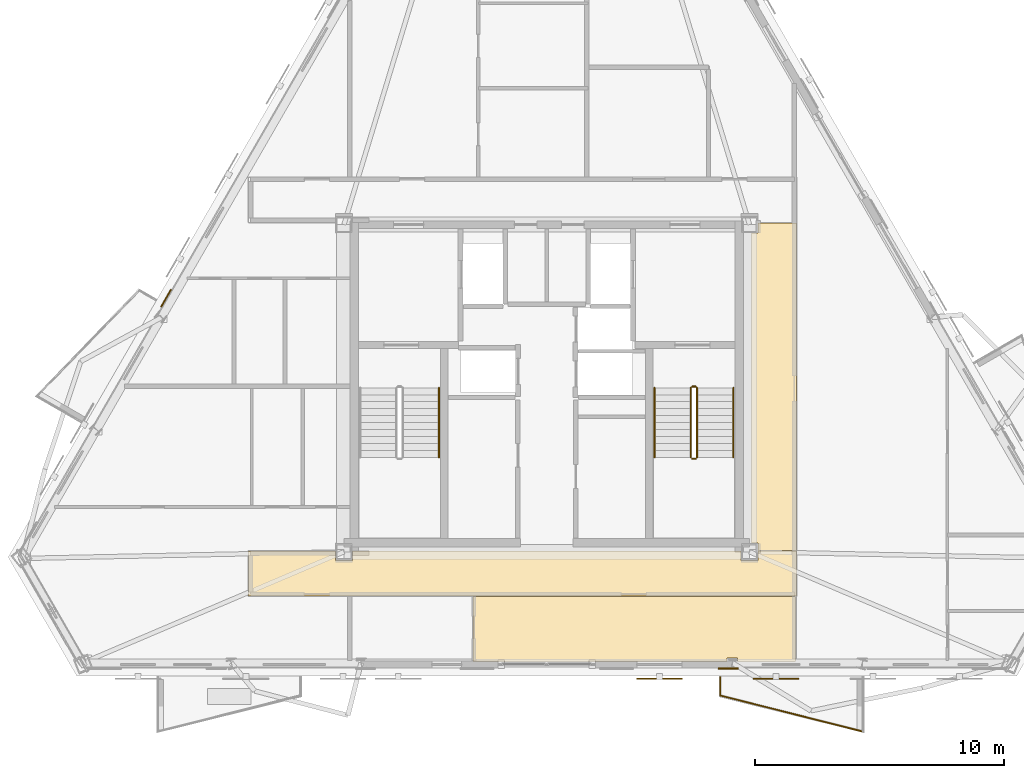
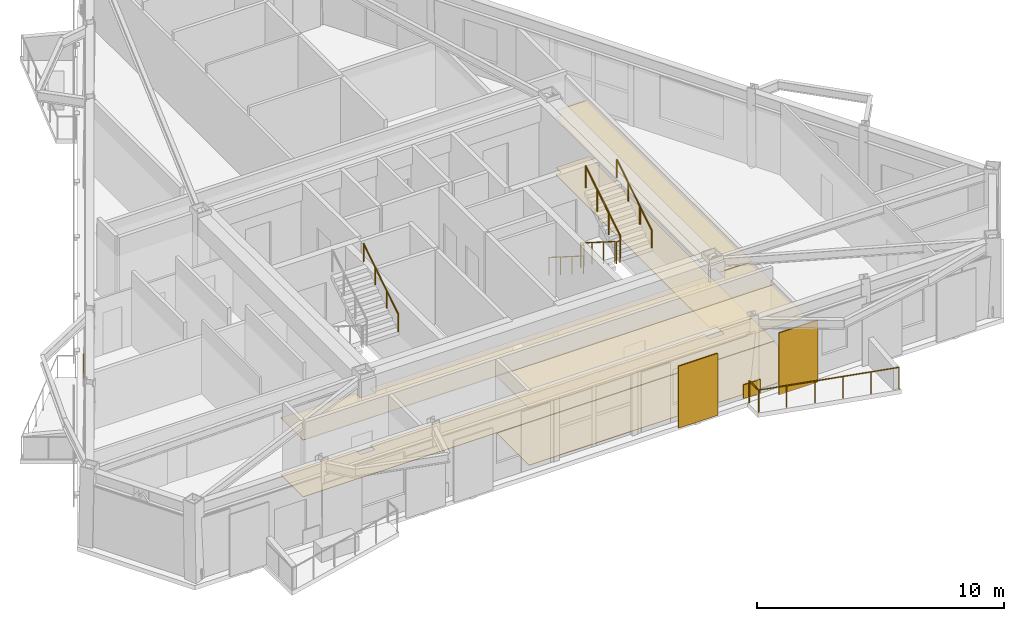
# One storey, part 13 of 15: 9 railings, 8 coverings, 2 shading devices.
"""IFC4 building model written with IfcOpenShell, lengths in metres."""

import ifcopenshell
import ifcopenshell.guid

model = None  # the IFC model being written
_history = None  # IfcOwnerHistory: only IFC2X3 demands one
_inside = {}  # id of a spatial element -> (the spatial element, [elements in it])
_under = {}  # id of a project, library or spatial element -> (it, [spatial elements below it])
_declared = {}  # id of a project -> (the project, [libraries it declares])
_typed = {}  # id of a type object -> (the type object, [elements of that type])
_made_of = {}  # id of a material, layer set ... -> (it, [elements and type objects made of it])


def new_model(schema):
    """Start an empty IFC model of exactly this schema.

    Asked for "IFC4X3", IfcOpenShell would pick the latest addendum, in which some entities
    have other attributes; the version numbers below select the first issue.
    IFC2X3 requires an IfcOwnerHistory on every rooted entity: one is made here for all.
    """
    global model, _history
    if schema == "IFC4X3":
        model = ifcopenshell.file(schema_version=(4, 3, 0, 0))
    else:
        model = ifcopenshell.file(schema=schema)
    _inside.clear()
    _under.clear()
    _declared.clear()
    _typed.clear()
    _made_of.clear()
    _history = None
    if model.schema == "IFC2X3":
        org = make("IfcOrganization", Name="unknown")
        user = make(
            "IfcPersonAndOrganization",
            ThePerson=make("IfcPerson", FamilyName="unknown"),
            TheOrganization=org,
        )
        app = make(
            "IfcApplication",
            ApplicationDeveloper=org,
            Version="unknown",
            ApplicationFullName="unknown",
            ApplicationIdentifier="unknown",
        )
        _history = make(
            "IfcOwnerHistory",
            OwningUser=user,
            OwningApplication=app,
            ChangeAction="ADDED",
            CreationDate=0,
        )
    return model


def make(cls, **values):
    """One entity of the class cls with the attributes given. An attribute that is None is left unset."""
    return model.create_entity(
        cls, **{name: value for name, value in values.items() if value is not None}
    )


def rooted(cls, **values):
    """An entity with a GlobalId (a new one), such as an element, a storey or a relation."""
    return make(cls, GlobalId=ifcopenshell.guid.new(), OwnerHistory=_history, **values)


def si_unit(unit_type, name, prefix=None):
    """IfcSIUnit, for example si_unit("LENGTHUNIT", "METRE", prefix="MILLI")."""
    return make("IfcSIUnit", UnitType=unit_type, Prefix=prefix, Name=name)


def assignment(units):
    """IfcUnitAssignment: the units of a project."""
    return None if units is None else make("IfcUnitAssignment", Units=units)


def point(xyz):
    """IfcCartesianPoint."""
    return None if xyz is None else make("IfcCartesianPoint", Coordinates=xyz)


def direction(xyz):
    """IfcDirection."""
    return None if xyz is None else make("IfcDirection", DirectionRatios=xyz)


def frame(location, z_axis=None, x_axis=None):
    """IfcAxis2Placement3D, a coordinate frame: its origin and axes. An axis left out is left unset."""
    return make(
        "IfcAxis2Placement3D",
        Location=point(location),
        Axis=direction(z_axis),
        RefDirection=direction(x_axis),
    )


def frame_2d(location, x_axis=None):
    """IfcAxis2Placement2D, a coordinate frame in the plane: its origin and x axis."""
    return make(
        "IfcAxis2Placement2D", Location=point(location), RefDirection=direction(x_axis)
    )


def origin():
    """The frame at (0, 0, 0) with its axes left unset."""
    return frame((0.0, 0.0, 0.0))


def origin_2d():
    """The frame at (0, 0) in the plane with its x axis left unset."""
    return frame_2d((0.0, 0.0))


def place(relative_to, where):
    """IfcLocalPlacement: puts the frame where relative to a parent placement (None: the world)."""
    return make(
        "IfcLocalPlacement", PlacementRelTo=relative_to, RelativePlacement=where
    )


def context(
    kind, dimensions, precision=None, world=None, true_north=None, identifier=None
):
    """IfcGeometricRepresentationContext, for example the 3D "Model" context."""
    return make(
        "IfcGeometricRepresentationContext",
        ContextIdentifier=identifier,
        ContextType=kind,
        CoordinateSpaceDimension=dimensions,
        Precision=precision,
        WorldCoordinateSystem=world,
        TrueNorth=true_north,
    )


def subcontext(parent, identifier, kind, view, scale=None):
    """IfcGeometricRepresentationSubContext, for example "Body" below "Model"."""
    return make(
        "IfcGeometricRepresentationSubContext",
        ContextIdentifier=identifier,
        ContextType=kind,
        ParentContext=parent,
        TargetScale=scale,
        TargetView=view,
    )


def project(units=None, contexts=None):
    """IfcProject with its units and contexts."""
    return rooted(
        "IfcProject",
        Name="project",
        RepresentationContexts=contexts,
        UnitsInContext=assignment(units),
    )


def spatial(cls, under=None, at=None, **own):
    """A site, building, storey or space (cls), placed at a placement, below another one or the project."""
    s = rooted(cls, ObjectPlacement=at, **own)
    if under is not None:
        _under.setdefault(under.id(), (under, []))[1].append(s)
    return s


def polyline(points):
    """IfcPolyline through the points."""
    return make("IfcPolyline", Points=[point(p) for p in points])


def profile(cls, at=None, kind="AREA", **sizes):
    """A parametric profile (cls). Its sizes go by their IFC names, for example OverallWidth=200.0."""
    return make(cls, ProfileType=kind, Position=at, **sizes)


def rectangle(**sizes):
    """IfcRectangleProfileDef."""
    return profile("IfcRectangleProfileDef", **sizes)


def circle(**sizes):
    """IfcCircleProfileDef."""
    return profile("IfcCircleProfileDef", **sizes)


def outline(outer, holes=None, kind="AREA"):
    """IfcArbitraryClosedProfileDef: a profile drawn as a closed curve; with holes, ...WithVoids."""
    if holes is None:
        return make("IfcArbitraryClosedProfileDef", ProfileType=kind, OuterCurve=outer)
    return make(
        "IfcArbitraryProfileDefWithVoids",
        ProfileType=kind,
        OuterCurve=outer,
        InnerCurves=holes,
    )


def extrude(swept, where, along, depth):
    """IfcExtrudedAreaSolid: the profile swept, set in the frame where, extruded along a direction by depth."""
    return make(
        "IfcExtrudedAreaSolid",
        SweptArea=swept,
        Position=where,
        ExtrudedDirection=direction(along),
        Depth=depth,
    )


def shape(context_of_items, identifier, shape_type, items):
    """IfcShapeRepresentation: the items that make up one representation, for example the "Body"."""
    return make(
        "IfcShapeRepresentation",
        ContextOfItems=context_of_items,
        RepresentationIdentifier=identifier,
        RepresentationType=shape_type,
        Items=items,
    )


def material(Name=None, Category=None):
    """IfcMaterial."""
    return make("IfcMaterial", Name=Name, Category=Category)


def layer(
    of_material, thickness, ventilated=None, Name=None, Category=None, Priority=None
):
    """IfcMaterialLayer: one layer of a wall or slab, of a material (None: an air gap)."""
    return make(
        "IfcMaterialLayer",
        Material=of_material,
        LayerThickness=thickness,
        IsVentilated=ventilated,
        Name=Name,
        Category=Category,
        Priority=Priority,
    )


def layer_set(layers, Name=None):
    """IfcMaterialLayerSet."""
    return make("IfcMaterialLayerSet", MaterialLayers=layers, LayerSetName=Name)


def made_of(thing, what):
    """Note that an element or type object is made of a material, layer set ...; save() writes the relation."""
    if what is not None:
        _made_of.setdefault(what.id(), (what, []))[1].append(thing)
    return thing


def type_object(cls, material=None, **own):
    """A type object (cls), such as IfcWallType, which elements share."""
    return made_of(rooted(cls, **own), material)


def element(
    cls,
    number,
    at=None,
    inside=None,
    cuts=None,
    type_object=None,
    material=None,
    context=None,
    identifier="Body",
    shape_type=None,
    held_by="IfcProductDefinitionShape",
    body=None,
    shapes=None,
    **own,
):
    """One element of the class cls, such as IfcWall. Its Tag is "e" and its number.

    at: its placement. inside: the storey or other place that contains it. cuts: it is an
    opening in that element (IfcRelVoidsElement). A single representation is given by context,
    identifier, shape_type and body (its items); several are given by shapes. held_by: the class
    of the entity that holds the representations. save() writes the other relations.
    """
    e = rooted(cls, Tag="e%d" % number, ObjectPlacement=at, **own)
    if body is not None:
        shapes = [shape(context, identifier, shape_type, body)]
    if shapes is not None:
        e.Representation = make(held_by, Representations=shapes)
    if inside is not None:
        _inside.setdefault(inside.id(), (inside, []))[1].append(e)
    if cuts is not None:
        rooted(
            "IfcRelVoidsElement", RelatingBuildingElement=cuts, RelatedOpeningElement=e
        )
    if type_object is not None:
        _typed.setdefault(type_object.id(), (type_object, []))[1].append(e)
    return made_of(e, material)


def aggregate(whole, parts):
    """IfcRelAggregates: a whole, such as a stair, and the parts it consists of."""
    return rooted("IfcRelAggregates", RelatingObject=whole, RelatedObjects=parts)


def save(model, path):
    """Write the relations noted so far, then the file.

    IfcRelAggregates (storeys below a building ...), IfcRelContainedInSpatialStructure (elements
    in a storey), IfcRelDefinesByType, IfcRelAssociatesMaterial and IfcRelDeclares: one each for
    every whole, place, type object, material and project.
    """
    for whole, parts in _under.values():
        aggregate(whole, parts)
    for where, things in _inside.values():
        rooted(
            "IfcRelContainedInSpatialStructure",
            RelatedElements=things,
            RelatingStructure=where,
        )
    for kind, things in _typed.values():
        rooted("IfcRelDefinesByType", RelatedObjects=things, RelatingType=kind)
    for what, things in _made_of.values():
        rooted("IfcRelAssociatesMaterial", RelatedObjects=things, RelatingMaterial=what)
    for by, libraries in _declared.values():
        rooted("IfcRelDeclares", RelatingContext=by, RelatedDefinitions=libraries)
    model.write(path)


model = new_model("IFC4")

# Units and contexts
model_context = context("Model", 3, precision=1e-05, world=origin(), true_north=direction((0.0, 1.0)))
body_context = subcontext(model_context, "Body", "Model", "MODEL_VIEW")
ifc_project = project(units=[si_unit("LENGTHUNIT", "METRE"), si_unit("AREAUNIT", "SQUARE_METRE"), si_unit("VOLUMEUNIT", "CUBIC_METRE"), si_unit("PLANEANGLEUNIT", "RADIAN"), si_unit("MASSUNIT", "GRAM", prefix="KILO")], contexts=[model_context])

# Site, building, storey
site_placement = place(None, origin())
site = spatial("IfcSite", under=ifc_project, at=site_placement, CompositionType="ELEMENT")
building_placement = place(site_placement, origin())
building = spatial("IfcBuilding", under=site, at=building_placement, Name="Oramaril Tower", CompositionType="ELEMENT")
storey_placement = place(building_placement, frame((0.0, 0.0, 265.5)))
storey = spatial("IfcBuildingStorey", under=building, at=storey_placement, Name="L70", CompositionType="ELEMENT", Elevation=265.5)

# Coverings
ifc_material_1 = material(Name="Mineral Fibre Acoustic Ceiling")
ifc_layer_1 = layer(ifc_material_1, 0.02001953125)
ifc_layer_set_1 = layer_set([ifc_layer_1], Name="CVT-CEIL")
covering_type_1 = type_object("IfcCoveringType", Name="CVT-CEIL", PredefinedType="CEILING", material=ifc_layer_set_1)
covering_1_placement = place(storey_placement, frame((0.0, 0.0, 2.81201171875)))
element("IfcCovering", 1, at=covering_1_placement, inside=storey, type_object=covering_type_1, Name="L70 Acoustic Suspended Ceiling 1", PredefinedType="CEILING", context=body_context, shape_type="SweptSolid", body=[
    extrude(outline(polyline([(29.0048828125, 10.655029296875), (29.695068359375, 10.655029296875), (29.695068359375, 11.030029296875), (45.304931640625, 11.030029296875), (45.304931640625, 10.655029296875), (45.9951171875, 10.655029296875), (45.9951171875, 11.030029296875), (47.530029296875, 11.030029296875), (47.530029296875, 9.219970703125), (25.52001953125, 9.219970703125), (25.52001953125, 11.030029296875), (29.0048828125, 11.030029296875), (29.0048828125, 10.655029296875)])), origin(), (0.0, 0.0, 1.0), 0.02001953125),
])
covering_2_placement = place(storey_placement, frame((0.0, 0.0, 2.81201171875)))
element("IfcCovering", 2, at=covering_2_placement, inside=storey, type_object=covering_type_1, Name="L70 Acoustic Suspended Ceiling 3", PredefinedType="CEILING", context=body_context, shape_type="SweptSolid", body=[
    extrude(outline(polyline([(47.530029296875, 11.050048828125), (45.9951171875, 11.050048828125), (45.9951171875, 11.344970703125), (45.719970703125, 11.344970703125), (45.719970703125, 23.804931640625), (45.9951171875, 23.804931640625), (45.9951171875, 24.219970703125), (47.530029296875, 24.219970703125), (47.530029296875, 11.050048828125)])), origin(), (0.0, 0.0, 1.0), 0.02001953125),
])
covering_3_placement = place(storey_placement, frame((0.0, 0.0, 2.81201171875)))
element("IfcCovering", 3, at=covering_3_placement, inside=storey, type_object=covering_type_1, Name="L70 Acoustic Suspended Ceiling 5", PredefinedType="CEILING", context=body_context, shape_type="SweptSolid", body=[
    extrude(outline(polyline([(45.165771484375, 6.7412109375), (44.7431640625, 6.7412109375), (44.7431640625, 6.582763671875), (34.54150390625, 6.582763671875), (34.54150390625, 9.199951171875), (47.491943359375, 9.199951171875), (47.491943359375, 6.582763671875), (45.165771484375, 6.582763671875), (45.165771484375, 6.7412109375)])), origin(), (0.0, 0.0, 1.0), 0.02001953125),
])
ifc_material_2 = material(Name="Warm Cream Limestone", Category="masonry")
ifc_layer_2 = layer(ifc_material_2, 0.050048828125)
ifc_layer_set_2 = layer_set([ifc_layer_2], Name="CVT-CLD")
covering_type_2 = type_object("IfcCoveringType", Name="CVT-CLD", PredefinedType="CLADDING", material=ifc_layer_set_2)
for number, where, z_axis, x_axis, name in (
    (4, (44.78564453125, 6.306884765625, 0.0400390625), (0.0, 0.0, 1.0), (1.0, 0.0, 0.0), "L70 Warm Cream Limestone Spandrel Cladding"),
    (5, (22.202392578125, 21.190185546875, 0.0400390625), (0.0, 0.0, 1.0), (-0.4999984885, -0.866026276448, 0.0), "L70 Warm Cream Limestone Spandrel Cladding"),
):
    element("IfcCovering", number, at=place(storey_placement, frame(where, z_axis=z_axis, x_axis=x_axis)), inside=storey, type_object=covering_type_2, Name=name, PredefinedType="CLADDING", context=body_context, shape_type="SweptSolid", body=[
        extrude(rectangle(XDim=0.800048828125, YDim=0.050048828125, at=origin_2d()), origin(), (0.0, 0.0, 1.0), 0.679931640625),
    ])
ifc_material_3 = material(Name="Honed Quartzite Stone Flooring", Category="masonry")
ifc_layer_3 = layer(ifc_material_3, 0.02490234375)
ifc_layer_set_3 = layer_set([ifc_layer_3], Name="CVT-FLR")
covering_type_3 = type_object("IfcCoveringType", Name="CVT-FLR", PredefinedType="FLOORING", material=ifc_layer_set_3)
covering_4_placement = place(storey_placement, origin())
element("IfcCovering", 6, at=covering_4_placement, inside=storey, type_object=covering_type_3, Name="L70 Honed Stone Floor Finish 1", PredefinedType="FLOORING", context=body_context, shape_type="SweptSolid", body=[
    extrude(outline(polyline([(29.0048828125, 10.655029296875), (29.695068359375, 10.655029296875), (29.695068359375, 11.030029296875), (45.304931640625, 11.030029296875), (45.304931640625, 10.655029296875), (45.9951171875, 10.655029296875), (45.9951171875, 11.030029296875), (47.530029296875, 11.030029296875), (47.530029296875, 9.219970703125), (25.52001953125, 9.219970703125), (25.52001953125, 11.030029296875), (29.0048828125, 11.030029296875), (29.0048828125, 10.655029296875)])), origin(), (0.0, 0.0, 1.0), 0.02490234375),
])
covering_5_placement = place(storey_placement, origin())
element("IfcCovering", 7, at=covering_5_placement, inside=storey, type_object=covering_type_3, Name="L70 Honed Stone Floor Finish 3", PredefinedType="FLOORING", context=body_context, shape_type="SweptSolid", body=[
    extrude(outline(polyline([(47.530029296875, 11.050048828125), (45.9951171875, 11.050048828125), (45.9951171875, 11.344970703125), (45.719970703125, 11.344970703125), (45.719970703125, 23.804931640625), (45.9951171875, 23.804931640625), (45.9951171875, 24.219970703125), (47.530029296875, 24.219970703125), (47.530029296875, 11.050048828125)])), origin(), (0.0, 0.0, 1.0), 0.02490234375),
])
covering_6_placement = place(storey_placement, origin())
element("IfcCovering", 8, at=covering_6_placement, inside=storey, type_object=covering_type_3, Name="L70 Honed Stone Floor Finish 5", PredefinedType="FLOORING", context=body_context, shape_type="SweptSolid", body=[
    extrude(outline(polyline([(45.165771484375, 6.7412109375), (44.7431640625, 6.7412109375), (44.7431640625, 6.582763671875), (34.54150390625, 6.582763671875), (34.54150390625, 9.199951171875), (47.491943359375, 9.199951171875), (47.491943359375, 6.582763671875), (45.165771484375, 6.582763671875), (45.165771484375, 6.7412109375)])), origin(), (0.0, 0.0, 1.0), 0.02490234375),
])

# Railings
ifc_material_4 = material(Name="Stainless Steel 316L", Category="steel")
railing_type_1 = type_object("IfcRailingType", Name="RLT-GRD", PredefinedType="GUARDRAIL", material=ifc_material_4)
railing_1_placement = place(storey_placement, frame((50.20458984375, 3.77490234375, 0.0)))
element("IfcRailing", 9, at=railing_1_placement, inside=storey, type_object=railing_type_1, Name="L70 Balcony Guardrail L70-BAL-S2.2", PredefinedType="GUARDRAIL", context=body_context, shape_type="SweptSolid", body=[
    extrude(circle(Radius=0.02392578125, at=origin_2d()), frame((0.0, 0.0, 1.076171875), z_axis=(-0.969443611257, 0.245314256807, 0.0), x_axis=(-0.245314256807, -0.969443611257, 0.0)), (0.0, 0.0, 1.0), 5.91064453125),
    extrude(circle(Radius=0.02099609375, at=origin_2d()), origin(), (0.0, 0.0, 1.0), 1.052001953125),
    extrude(circle(Radius=0.02099609375, at=origin_2d()), frame((-1.14599609375, 0.2900390625, 0.0)), (0.0, 0.0, 1.0), 1.052001953125),
    extrude(circle(Radius=0.02099609375, at=origin_2d()), frame((-2.2919921875, 0.580078125, 0.0)), (0.0, 0.0, 1.0), 1.052001953125),
    extrude(circle(Radius=0.02099609375, at=origin_2d()), frame((-3.43798828125, 0.869873046875, 0.0)), (0.0, 0.0, 1.0), 1.052001953125),
    extrude(circle(Radius=0.02099609375, at=origin_2d()), frame((-4.583984375, 1.159912109375, 0.0)), (0.0, 0.0, 1.0), 1.052001953125),
    extrude(circle(Radius=0.02099609375, at=origin_2d()), frame((-5.72998046875, 1.449951171875, 0.0)), (0.0, 0.0, 1.0), 1.052001953125),
])
railing_2_placement = place(storey_placement, frame((44.474609375, 5.224853515625, 0.0)))
element("IfcRailing", 10, at=railing_2_placement, inside=storey, type_object=railing_type_1, Name="L70 Balcony Guardrail L70-BAL-S2.3", PredefinedType="GUARDRAIL", context=body_context, shape_type="SweptSolid", body=[
    extrude(circle(Radius=0.02392578125, at=origin_2d()), frame((0.0, 0.0, 1.076171875), z_axis=(0.0, 1.0, 0.0), x_axis=(-1.0, 0.0, 0.0)), (0.0, 0.0, 1.0), 0.741943359375),
    extrude(circle(Radius=0.02099609375, at=origin_2d()), origin(), (0.0, 0.0, 1.0), 1.052001953125),
    extrude(circle(Radius=0.02099609375, at=origin_2d()), frame((0.0, 0.741943359375, 0.0)), (0.0, 0.0, 1.0), 1.052001953125),
])
railing_3_placement = place(storey_placement, frame((43.2900390625, 17.590087890625, 0.17724609375)))
element("IfcRailing", 11, at=railing_3_placement, inside=storey, type_object=railing_type_1, Name="L70 ST-2 stair guard 1", PredefinedType="GUARDRAIL", context=body_context, shape_type="SweptSolid", body=[
    extrude(circle(Radius=0.02392578125, at=origin_2d()), frame((0.0, 0.0, 1.076171875), z_axis=(0.0, -0.844908973607, 0.534910110503), x_axis=(1.0, 0.0, 0.0)), (0.0, 0.0, 1.0), 3.31396484375),
    extrude(circle(Radius=0.02099609375, at=origin_2d()), origin(), (0.0, 0.0, 1.0), 1.052001953125),
    extrude(circle(Radius=0.02099609375, at=origin_2d()), frame((0.0, -0.933349609375, 0.5908203125)), (0.0, 0.0, 1.0), 1.052001953125),
    extrude(circle(Radius=0.02099609375, at=origin_2d()), frame((0.0, -1.86669921875, 1.181884765625)), (0.0, 0.0, 1.0), 1.052001953125),
    extrude(circle(Radius=0.02099609375, at=origin_2d()), frame((0.0, -2.800048828125, 1.772705078125)), (0.0, 0.0, 1.0), 1.052001953125),
])
railing_4_placement = place(storey_placement, frame((43.340087890625, 14.739990234375, 1.949951171875)))
element("IfcRailing", 12, at=railing_4_placement, inside=storey, type_object=railing_type_1, Name="L70 ST-2 stair guard 2", PredefinedType="GUARDRAIL", context=body_context, shape_type="SweptSolid", body=[
    extrude(circle(Radius=0.02392578125, at=origin_2d()), frame((0.0, 0.0, 1.076171875), z_axis=(1.0, 0.0, 0.0), x_axis=(0.0, 1.0, 0.0)), (0.0, 0.0, 1.0), 0.14990234375),
    extrude(circle(Radius=0.02099609375, at=origin_2d()), origin(), (0.0, 0.0, 1.0), 1.052001953125),
    extrude(circle(Radius=0.02099609375, at=origin_2d()), frame((0.14990234375, 0.0, 0.0)), (0.0, 0.0, 1.0), 1.052001953125),
])
railing_5_placement = place(storey_placement, frame((43.5400390625, 14.7900390625, 2.127197265625)))
element("IfcRailing", 13, at=railing_5_placement, inside=storey, type_object=railing_type_1, Name="L70 ST-2 stair guard 3", PredefinedType="GUARDRAIL", context=body_context, shape_type="SweptSolid", body=[
    extrude(circle(Radius=0.02392578125, at=origin_2d()), frame((0.0, 0.0, 1.076171875), z_axis=(0.0, 0.844908973607, 0.534910110503), x_axis=(-1.0, 0.0, 0.0)), (0.0, 0.0, 1.0), 3.31396484375),
    extrude(circle(Radius=0.02099609375, at=origin_2d()), origin(), (0.0, 0.0, 1.0), 1.052001953125),
    extrude(circle(Radius=0.02099609375, at=origin_2d()), frame((0.0, 0.933349609375, 0.5908203125)), (0.0, 0.0, 1.0), 1.052001953125),
    extrude(circle(Radius=0.02099609375, at=origin_2d()), frame((0.0, 1.86669921875, 1.181884765625)), (0.0, 0.0, 1.0), 1.052001953125),
    extrude(circle(Radius=0.02099609375, at=origin_2d()), frame((0.0, 2.800048828125, 1.772705078125)), (0.0, 0.0, 1.0), 1.052001953125),
])
railing_6_placement = place(storey_placement, frame((43.340087890625, 17.639892578125, 0.0)))
element("IfcRailing", 14, at=railing_6_placement, inside=storey, type_object=railing_type_1, Name="L70 ST-2 stair guard 4", PredefinedType="GUARDRAIL", context=body_context, shape_type="SweptSolid", body=[
    extrude(circle(Radius=0.02392578125, at=origin_2d()), frame((0.0, 0.0, 1.076171875), z_axis=(1.0, 0.0, 0.0), x_axis=(0.0, 1.0, 0.0)), (0.0, 0.0, 1.0), 0.14990234375),
    extrude(circle(Radius=0.02099609375, at=origin_2d()), origin(), (0.0, 0.0, 1.0), 1.052001953125),
    extrude(circle(Radius=0.02099609375, at=origin_2d()), frame((0.14990234375, 0.0, 0.0)), (0.0, 0.0, 1.0), 1.052001953125),
])
ifc_material_5 = material(Name="Stainless Steel 316L", Category="steel")
railing_type_2 = type_object("IfcRailingType", Name="RLT-HND", PredefinedType="HANDRAIL", material=ifc_material_5)
railing_7_placement = place(storey_placement, frame((33.169921875, 14.7900390625, 2.127197265625)))
element("IfcRailing", 15, at=railing_7_placement, inside=storey, type_object=railing_type_2, Name="L70 ST-1 stair handrail 2", PredefinedType="HANDRAIL", context=body_context, shape_type="SweptSolid", body=[
    extrude(circle(Radius=0.02392578125, at=origin_2d()), frame((0.0, 0.0, 0.8759765625), z_axis=(0.0, 0.844908973607, 0.534910110503), x_axis=(-1.0, 0.0, 0.0)), (0.0, 0.0, 1.0), 3.31396484375),
    extrude(circle(Radius=0.02099609375, at=origin_2d()), origin(), (0.0, 0.0, 1.0), 0.851806640625),
    extrude(circle(Radius=0.02099609375, at=origin_2d()), frame((0.0, 0.933349609375, 0.5908203125)), (0.0, 0.0, 1.0), 0.851806640625),
    extrude(circle(Radius=0.02099609375, at=origin_2d()), frame((0.0, 1.86669921875, 1.181884765625)), (0.0, 0.0, 1.0), 0.851806640625),
    extrude(circle(Radius=0.02099609375, at=origin_2d()), frame((0.0, 2.800048828125, 1.772705078125)), (0.0, 0.0, 1.0), 0.851806640625),
])
railing_8_placement = place(storey_placement, frame((41.830078125, 17.590087890625, 0.17724609375)))
element("IfcRailing", 16, at=railing_8_placement, inside=storey, type_object=railing_type_2, Name="L70 ST-2 stair handrail 1", PredefinedType="HANDRAIL", context=body_context, shape_type="SweptSolid", body=[
    extrude(circle(Radius=0.02392578125, at=origin_2d()), frame((0.0, 0.0, 0.8759765625), z_axis=(0.0, -0.844908973607, 0.534910110503), x_axis=(1.0, 0.0, 0.0)), (0.0, 0.0, 1.0), 3.31396484375),
    extrude(circle(Radius=0.02099609375, at=origin_2d()), origin(), (0.0, 0.0, 1.0), 0.851806640625),
    extrude(circle(Radius=0.02099609375, at=origin_2d()), frame((0.0, -0.933349609375, 0.5908203125)), (0.0, 0.0, 1.0), 0.851806640625),
    extrude(circle(Radius=0.02099609375, at=origin_2d()), frame((0.0, -1.86669921875, 1.181884765625)), (0.0, 0.0, 1.0), 0.851806640625),
    extrude(circle(Radius=0.02099609375, at=origin_2d()), frame((0.0, -2.800048828125, 1.772705078125)), (0.0, 0.0, 1.0), 0.851806640625),
])
railing_9_placement = place(storey_placement, frame((45.0, 14.7900390625, 2.127197265625)))
element("IfcRailing", 17, at=railing_9_placement, inside=storey, type_object=railing_type_2, Name="L70 ST-2 stair handrail 2", PredefinedType="HANDRAIL", context=body_context, shape_type="SweptSolid", body=[
    extrude(circle(Radius=0.02392578125, at=origin_2d()), frame((0.0, 0.0, 0.8759765625), z_axis=(0.0, 0.844908973607, 0.534910110503), x_axis=(-1.0, 0.0, 0.0)), (0.0, 0.0, 1.0), 3.31396484375),
    extrude(circle(Radius=0.02099609375, at=origin_2d()), origin(), (0.0, 0.0, 1.0), 0.851806640625),
    extrude(circle(Radius=0.02099609375, at=origin_2d()), frame((0.0, 0.933349609375, 0.5908203125)), (0.0, 0.0, 1.0), 0.851806640625),
    extrude(circle(Radius=0.02099609375, at=origin_2d()), frame((0.0, 1.86669921875, 1.181884765625)), (0.0, 0.0, 1.0), 0.851806640625),
    extrude(circle(Radius=0.02099609375, at=origin_2d()), frame((0.0, 2.800048828125, 1.772705078125)), (0.0, 0.0, 1.0), 0.851806640625),
])

# Shading devices
for number, where, z_axis, x_axis, name in (
    (18, (42.025390625, 5.894775390625, -0.02001953125), (0.0, 0.0, 1.0), (1.0, 0.0, 0.0), "L70 Perforated Ceramic Solar Screen"),
    (19, (46.716796875, 5.894775390625, -0.02001953125), (0.0, 0.0, 1.0), (1.0, 0.0, 0.0), "L70 Perforated Ceramic Solar Screen"),
):
    element("IfcShadingDevice", number, at=place(storey_placement, frame(where, z_axis=z_axis, x_axis=x_axis)), inside=storey, Name=name, ObjectType="SCREEN", PredefinedType="USERDEFINED", context=body_context, shape_type="SweptSolid", body=[
        extrude(rectangle(XDim=1.8330078125, YDim=0.050048828125, at=origin_2d()), origin(), (0.0, 0.0, 1.0), 3.05810546875),
    ])

save(model, "model.ifc")
